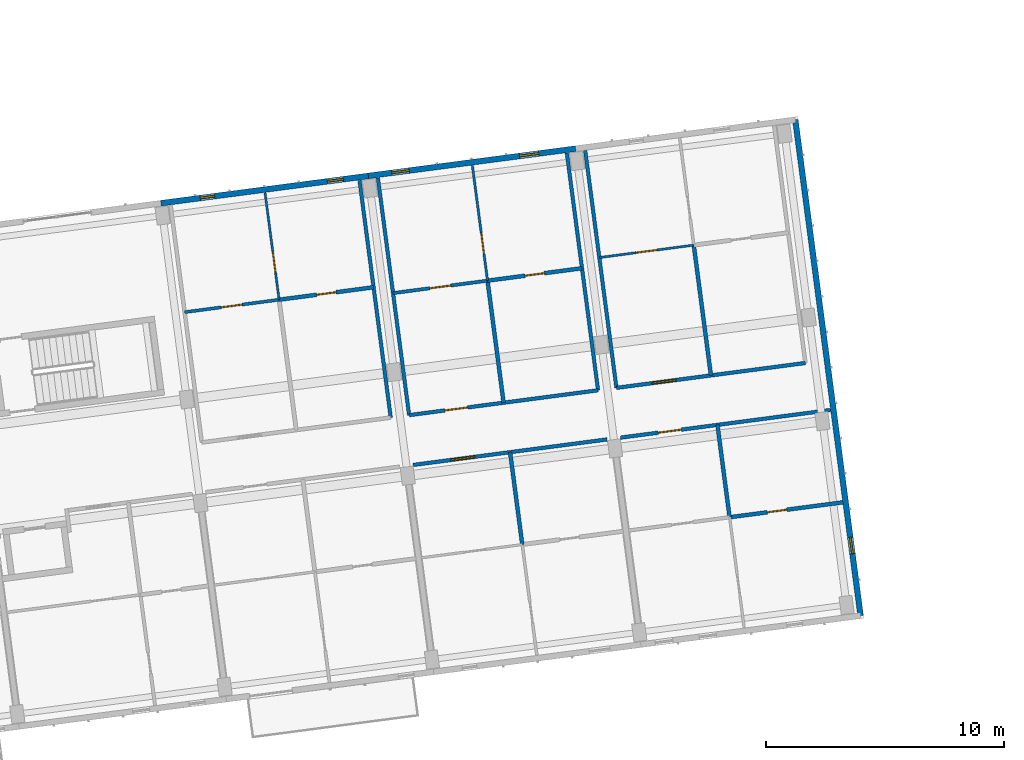
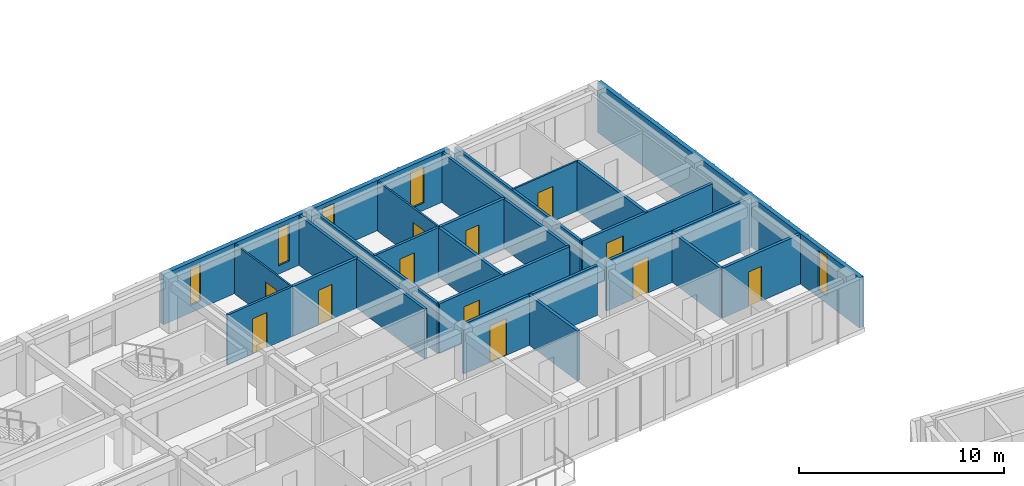
# One storey, part 24 of 64: 23 walls, 12 doors, 5 windows, 17 openings.
"""IFC4 building model written with IfcOpenShell, lengths in metres."""

from ifc_helpers import new_model, si_unit, direction, frame, frame_2d, origin, place, context, subcontext, project, spatial, rectangle, extrude, material, layer, layer_set, type_object, element, fill, save


model = new_model("IFC4")

# Units and contexts
model_context = context("Model", 3, precision=1e-05, world=origin(), true_north=direction((0.0, 1.0)))
body_context = subcontext(model_context, "Body", "Model", "MODEL_VIEW")
ifc_project = project(units=[si_unit("LENGTHUNIT", "METRE"), si_unit("AREAUNIT", "SQUARE_METRE"), si_unit("VOLUMEUNIT", "CUBIC_METRE"), si_unit("PLANEANGLEUNIT", "RADIAN"), si_unit("MASSUNIT", "GRAM", prefix="KILO")], contexts=[model_context])

# Site, building, storey
site_placement = place(None, origin())
site = spatial("IfcSite", under=ifc_project, at=site_placement, CompositionType="ELEMENT")
building_placement = place(site_placement, origin())
building = spatial("IfcBuilding", under=site, at=building_placement, Name="Kestramere Prow Commons", CompositionType="ELEMENT")
storey_placement = place(building_placement, frame((0.0, 0.0, 24.64990234375)))
storey = spatial("IfcBuildingStorey", under=building, at=storey_placement, Name="L07", CompositionType="ELEMENT", Elevation=24.64990234375)

# Wall, openings, windows
ifc_material_1 = material(Name="Fluoropolymer Standing-Seam Zinc-Aluminium Cladding", Category="aluminium")
ifc_layer_1 = layer(ifc_material_1, 0.239990234375)
ifc_layer_set_1 = layer_set([ifc_layer_1], Name="Fluoropolymer Standing-Seam Zinc-Aluminium Cladding")
wall_type_1 = type_object("IfcWallType", Name="EW-SEAM-240", PredefinedType="SOLIDWALL", material=ifc_layer_set_1)
wall_1_placement = place(storey_placement, frame((34.695068359375, 95.79541015625, 0.0), z_axis=(0.0, 0.0, 1.0), x_axis=(0.991447967712, 0.130502595073, 0.0)))
wall_1 = element("IfcWall", 1, at=wall_1_placement, inside=storey, type_object=wall_type_1, Name="Block A L07 North Standing-Seam Wall 4", PredefinedType="SOLIDWALL", context=body_context, shape_type="SweptSolid", body=[
    extrude(rectangle(XDim=8.800048828125, YDim=0.239990234375, at=frame_2d((4.39990234375, 0.0))), origin(), (0.0, 0.0, 1.0), 3.0),
])
opening_1_placement = place(wall_1_placement, frame((1.672119140625, 0.0, 0.43994140625)))
opening_1 = element("IfcOpeningElement", 2, at=opening_1_placement, cuts=wall_1, Name="Opening WN-02", PredefinedType="OPENING", context=body_context, shape_type="SweptSolid", body=[
    extrude(rectangle(XDim=0.60009765625, YDim=2.219970703125, at=frame_2d((0.300048828125, 1.10986328125))), frame((0.0, 0.135009765625, 0.0), z_axis=(0.0, -1.0, 0.0), x_axis=(1.0, 0.0, 0.0)), (0.0, 0.0, 1.0), 0.27001953125),
])
opening_2_placement = place(wall_1_placement, frame((7.06591796875, 0.0, 0.5)))
opening_2 = element("IfcOpeningElement", 3, at=opening_2_placement, cuts=wall_1, Name="Opening WN-06", PredefinedType="OPENING", context=body_context, shape_type="SweptSolid", body=[
    extrude(rectangle(XDim=0.679931640625, YDim=2.239990234375, at=frame_2d((0.33984375, 1.1201171875))), frame((0.0, 0.135009765625, 0.0), z_axis=(0.0, -1.0, 0.0), x_axis=(1.0, 0.0, 0.0)), (0.0, 0.0, 1.0), 0.27001953125),
])
ifc_material_2 = material(Name="Low-E Laminated Double Glazing", Category="glass")
window_type_1 = type_object("IfcWindowType", Name="WN-NAR-600A", PartitioningType="SINGLE_PANEL", PredefinedType="WINDOW", material=ifc_material_2)
window_1_placement = place(opening_1_placement, origin())
window_1 = element("IfcWindow", 4, at=window_1_placement, inside=storey, type_object=window_type_1, Name="WN-A-L07-N-3-0", OverallHeight=2.219970703125, OverallWidth=0.60009765625, PartitioningType="SINGLE_PANEL", PredefinedType="WINDOW", context=body_context, shape_type="SweptSolid", body=[
    extrude(rectangle(XDim=0.60009765625, YDim=2.219970703125, at=frame_2d((0.300048828125, 1.10986328125))), frame((0.0, 0.030029296875, 0.0), z_axis=(0.0, -1.0, 0.0), x_axis=(1.0, 0.0, 0.0)), (0.0, 0.0, 1.0), 0.06005859375),
])
fill(opening_1, window_1)
window_type_2 = type_object("IfcWindowType", Name="WN-NAR-680A", PartitioningType="SINGLE_PANEL", PredefinedType="WINDOW", material=ifc_material_2)
window_2_placement = place(opening_2_placement, origin())
window_2 = element("IfcWindow", 5, at=window_2_placement, inside=storey, type_object=window_type_2, Name="WN-A-L07-N-3-1", OverallHeight=2.239990234375, OverallWidth=0.679931640625, PartitioningType="SINGLE_PANEL", PredefinedType="WINDOW", context=body_context, shape_type="SweptSolid", body=[
    extrude(rectangle(XDim=0.679931640625, YDim=2.239990234375, at=frame_2d((0.33984375, 1.1201171875))), frame((0.0, 0.030029296875, 0.0), z_axis=(0.0, -1.0, 0.0), x_axis=(1.0, 0.0, 0.0)), (0.0, 0.0, 1.0), 0.06005859375),
])
fill(opening_2, window_2)

wall_2_placement = place(storey_placement, frame((43.419921875, 96.94384765625, 0.0), z_axis=(0.0, 0.0, 1.0), x_axis=(0.991443905089, 0.130533455715, 0.0)))
wall_2 = element("IfcWall", 6, at=wall_2_placement, inside=storey, type_object=wall_type_1, Name="Block A L07 North Standing-Seam Wall 5", PredefinedType="SOLIDWALL", context=body_context, shape_type="SweptSolid", body=[
    extrude(rectangle(XDim=8.7998046875, YDim=0.239990234375, at=frame_2d((4.39990234375, 0.0))), origin(), (0.0, 0.0, 1.0), 3.0),
])
opening_3_placement = place(wall_2_placement, frame((1.000732421875, 0.0, 0.5)))
opening_3 = element("IfcOpeningElement", 7, at=opening_3_placement, cuts=wall_2, Name="Opening WN-09", PredefinedType="OPENING", context=body_context, shape_type="SweptSolid", body=[
    extrude(rectangle(XDim=0.739990234375, YDim=2.260009765625, at=frame_2d((0.3701171875, 1.1298828125))), frame((0.0, 0.135009765625, 0.0), z_axis=(0.0, -1.0, 0.0), x_axis=(1.0, 0.0, 0.0)), (0.0, 0.0, 1.0), 0.27001953125),
])
opening_4_placement = place(wall_2_placement, frame((6.41796875, 0.0, 0.43994140625)))
opening_4 = element("IfcOpeningElement", 8, at=opening_4_placement, cuts=wall_2, Name="Opening WN-13", PredefinedType="OPENING", context=body_context, shape_type="SweptSolid", body=[
    extrude(rectangle(XDim=0.820068359375, YDim=2.179931640625, at=frame_2d((0.41015625, 1.08984375))), frame((0.0, 0.135009765625, 0.0), z_axis=(0.0, -1.0, 0.0), x_axis=(1.0, 0.0, 0.0)), (0.0, 0.0, 1.0), 0.27001953125),
])
window_type_3 = type_object("IfcWindowType", Name="WN-NAR-740A", PartitioningType="SINGLE_PANEL", PredefinedType="WINDOW", material=ifc_material_2)
window_3_placement = place(opening_3_placement, origin())
window_3 = element("IfcWindow", 9, at=window_3_placement, inside=storey, type_object=window_type_3, Name="WN-A-L07-N-4-0", OverallHeight=2.260009765625, OverallWidth=0.739990234375, PartitioningType="SINGLE_PANEL", PredefinedType="WINDOW", context=body_context, shape_type="SweptSolid", body=[
    extrude(rectangle(XDim=0.739990234375, YDim=2.260009765625, at=frame_2d((0.3701171875, 1.1298828125))), frame((0.0, 0.030029296875, 0.0), z_axis=(0.0, -1.0, 0.0), x_axis=(1.0, 0.0, 0.0)), (0.0, 0.0, 1.0), 0.06005859375),
])
fill(opening_3, window_3)
window_type_4 = type_object("IfcWindowType", Name="WN-NAR-820A", PartitioningType="DOUBLE_PANEL_VERTICAL", PredefinedType="WINDOW", material=ifc_material_2)
window_4_placement = place(opening_4_placement, origin())
window_4 = element("IfcWindow", 10, at=window_4_placement, inside=storey, type_object=window_type_4, Name="WN-A-L07-N-4-1", OverallHeight=2.179931640625, OverallWidth=0.820068359375, PartitioningType="SINGLE_PANEL", PredefinedType="WINDOW", context=body_context, shape_type="SweptSolid", body=[
    extrude(rectangle(XDim=0.820068359375, YDim=2.179931640625, at=frame_2d((0.41015625, 1.08984375))), frame((0.0, 0.030029296875, 0.0), z_axis=(0.0, -1.0, 0.0), x_axis=(1.0, 0.0, 0.0)), (0.0, 0.0, 1.0), 0.06005859375),
])
fill(opening_4, window_4)

# Wall, opening, window
wall_3_placement = place(storey_placement, frame((61.3896484375, 99.309814453125, 0.0), z_axis=(0.0, 0.0, 1.0), x_axis=(0.13052411616, -0.99144513469, 0.0)))
wall_3 = element("IfcWall", 11, at=wall_3_placement, inside=storey, type_object=wall_type_1, Name="Block A L07 EAV Facet Wall", PredefinedType="SOLIDWALL", context=body_context, shape_type="SweptSolid", body=[
    extrude(rectangle(XDim=21.05029296875, YDim=0.239990234375, at=frame_2d((10.525146484375, 0.0))), origin(), (0.0, 0.0, 1.0), 3.0),
])
opening_5_placement = place(wall_3_placement, frame((17.719970703125, 0.0, 0.449951171875)))
opening_5 = element("IfcOpeningElement", 12, at=opening_5_placement, cuts=wall_3, Name="Opening WN-07", PredefinedType="OPENING", context=body_context, shape_type="SweptSolid", body=[
    extrude(rectangle(XDim=0.699951171875, YDim=2.360107421875, at=frame_2d((0.35009765625, 1.18017578125))), frame((0.0, 0.135009765625, 0.0), z_axis=(0.0, -1.0, 0.0), x_axis=(1.0, 0.0, 0.0)), (0.0, 0.0, 1.0), 0.27001953125),
])
window_type_5 = type_object("IfcWindowType", Name="WN-NAR-700A", PartitioningType="SINGLE_PANEL", PredefinedType="WINDOW", material=ifc_material_2)
window_5_placement = place(opening_5_placement, origin())
window_5 = element("IfcWindow", 13, at=window_5_placement, inside=storey, type_object=window_type_5, Name="WN-A-L07-EAV-1", OverallHeight=2.360107421875, OverallWidth=0.699951171875, PartitioningType="SINGLE_PANEL", PredefinedType="WINDOW", context=body_context, shape_type="SweptSolid", body=[
    extrude(rectangle(XDim=0.699951171875, YDim=2.360107421875, at=frame_2d((0.35009765625, 1.18017578125))), frame((0.0, 0.030029296875, 0.0), z_axis=(0.0, -1.0, 0.0), x_axis=(1.0, 0.0, 0.0)), (0.0, 0.0, 1.0), 0.06005859375),
])
fill(opening_5, window_5)

# Wall, opening, door
ifc_material_3 = material(Name="Fire-Rated Calcium Silicate Wall")
ifc_layer_2 = layer(ifc_material_3, 0.155029296875)
ifc_layer_set_2 = layer_set([ifc_layer_2], Name="Fire-Rated Calcium Silicate Wall")
wall_type_2 = type_object("IfcWallType", Name="W-FIRE-150", PredefinedType="PARTITIONING", material=ifc_layer_set_2)
wall_4_placement = place(storey_placement, frame((45.30859375, 84.781494140625, 0.0), z_axis=(0.0, 0.0, 1.0), x_axis=(0.991444700604, 0.130527413383, 0.0)))
wall_4 = element("IfcWall", 14, at=wall_4_placement, inside=storey, type_object=wall_type_2, Name="Interior Partition PW-A-L07-CS-4", PredefinedType="PARTITIONING", context=body_context, shape_type="SweptSolid", body=[
    extrude(rectangle(XDim=8.229736328125, YDim=0.155029296875, at=frame_2d((4.11474609375, 0.0))), origin(), (0.0, 0.0, 1.0), 2.97021484375),
])
opening_6_placement = place(wall_4_placement, frame((1.60498046875, 0.0, 0.0)))
opening_6 = element("IfcOpeningElement", 15, at=opening_6_placement, cuts=wall_4, Name="Opening ID-05", PredefinedType="OPENING", context=body_context, shape_type="SweptSolid", body=[
    extrude(rectangle(XDim=1.02001953125, YDim=2.199951171875, at=frame_2d((0.510009765625, 1.10009765625))), frame((0.0, 0.092529296875, 0.0), z_axis=(0.0, -1.0, 0.0), x_axis=(1.0, 0.0, 0.0)), (0.0, 0.0, 1.0), 0.18505859375),
])
ifc_material_4 = material(Name="Hardwood Fire-Rated Flat Entrance Door", Category="wood")
door_type_1 = type_object("IfcDoorType", Name="FD-ENT-02", OperationType="NOTDEFINED", PredefinedType="DOOR", material=ifc_material_4)
door_1_placement = place(opening_6_placement, origin())
door_1 = element("IfcDoor", 16, at=door_1_placement, inside=storey, type_object=door_type_1, Name="Interior Door DR-A-L07-ENT-S4", OperationType="SINGLE_SWING_RIGHT", OverallHeight=2.199951171875, OverallWidth=1.02001953125, PredefinedType="DOOR", context=body_context, shape_type="SweptSolid", body=[
    extrude(rectangle(XDim=1.02001953125, YDim=2.199951171875, at=frame_2d((0.510009765625, 1.10009765625))), frame((0.0, 0.02490234375, 0.0), z_axis=(0.0, -1.0, 0.0), x_axis=(1.0, 0.0, 0.0)), (0.0, 0.0, 1.0), 0.050048828125),
])
fill(opening_6, door_1)

wall_5_placement = place(storey_placement, frame((54.033203125, 85.929931640625, 0.0), z_axis=(0.0, 0.0, 1.0), x_axis=(0.991443380249, 0.130537441989, 0.0)))
wall_5 = element("IfcWall", 17, at=wall_5_placement, inside=storey, type_object=wall_type_2, Name="Interior Partition PW-A-L07-CS-5", PredefinedType="PARTITIONING", context=body_context, shape_type="SweptSolid", body=[
    extrude(rectangle(XDim=8.909912109375, YDim=0.155029296875, at=frame_2d((4.455078125, 0.0))), origin(), (0.0, 0.0, 1.0), 2.97021484375),
])
opening_7_placement = place(wall_5_placement, frame((1.60498046875, 0.0, 0.0)))
opening_7 = element("IfcOpeningElement", 18, at=opening_7_placement, cuts=wall_5, Name="Opening ID-04", PredefinedType="OPENING", context=body_context, shape_type="SweptSolid", body=[
    extrude(rectangle(XDim=0.97998046875, YDim=2.14990234375, at=frame_2d((0.489990234375, 1.074951171875))), frame((0.0, 0.092529296875, 0.0), z_axis=(0.0, -1.0, 0.0), x_axis=(1.0, 0.0, 0.0)), (0.0, 0.0, 1.0), 0.18505859375),
])
door_type_2 = type_object("IfcDoorType", Name="FD-ENT-01", OperationType="NOTDEFINED", PredefinedType="DOOR", material=ifc_material_4)
door_2_placement = place(opening_7_placement, origin())
door_2 = element("IfcDoor", 19, at=door_2_placement, inside=storey, type_object=door_type_2, Name="Interior Door DR-A-L07-ENT-S5", OperationType="SINGLE_SWING_LEFT", OverallHeight=2.14990234375, OverallWidth=0.97998046875, PredefinedType="DOOR", context=body_context, shape_type="SweptSolid", body=[
    extrude(rectangle(XDim=0.97998046875, YDim=2.14990234375, at=frame_2d((0.489990234375, 1.074951171875))), frame((0.0, 0.02490234375, 0.0), z_axis=(0.0, -1.0, 0.0), x_axis=(1.0, 0.0, 0.0)), (0.0, 0.0, 1.0), 0.050048828125),
])
fill(opening_7, door_2)

wall_6_placement = place(storey_placement, frame((45.138427734375, 86.877197265625, 0.0), z_axis=(0.0, 0.0, 1.0), x_axis=(0.991444034844, 0.130532470184, 0.0)))
wall_6 = element("IfcWall", 20, at=wall_6_placement, inside=storey, type_object=wall_type_2, Name="Interior Partition PW-A-L07-CN-4", PredefinedType="PARTITIONING", context=body_context, shape_type="SweptSolid", body=[
    extrude(rectangle(XDim=8.02001953125, YDim=0.155029296875, at=frame_2d((4.010009765625, 0.0))), origin(), (0.0, 0.0, 1.0), 2.97021484375),
])
opening_8_placement = place(wall_6_placement, frame((1.5048828125, 0.0, 0.0)))
opening_8 = element("IfcOpeningElement", 21, at=opening_8_placement, cuts=wall_6, Name="Opening ID-04", PredefinedType="OPENING", context=body_context, shape_type="SweptSolid", body=[
    extrude(rectangle(XDim=0.97998046875, YDim=2.14990234375, at=frame_2d((0.489990234375, 1.074951171875))), frame((0.0, 0.092529296875, 0.0), z_axis=(0.0, -1.0, 0.0), x_axis=(1.0, 0.0, 0.0)), (0.0, 0.0, 1.0), 0.18505859375),
])
door_3_placement = place(opening_8_placement, origin())
door_3 = element("IfcDoor", 22, at=door_3_placement, inside=storey, type_object=door_type_2, Name="Interior Door DR-A-L07-ENT-N4", OperationType="SINGLE_SWING_LEFT", OverallHeight=2.14990234375, OverallWidth=0.97998046875, PredefinedType="DOOR", context=body_context, shape_type="SweptSolid", body=[
    extrude(rectangle(XDim=0.97998046875, YDim=2.14990234375, at=frame_2d((0.489990234375, 1.074951171875))), frame((0.0, 0.02490234375, 0.0), z_axis=(0.0, -1.0, 0.0), x_axis=(1.0, 0.0, 0.0)), (0.0, 0.0, 1.0), 0.050048828125),
])
fill(opening_8, door_3)

wall_7_placement = place(storey_placement, frame((53.86328125, 88.02587890625, 0.0), z_axis=(0.0, 0.0, 1.0), x_axis=(0.991447973994, 0.130502547346, 0.0)))
wall_7 = element("IfcWall", 23, at=wall_7_placement, inside=storey, type_object=wall_type_2, Name="Interior Partition PW-A-L07-CN-5", PredefinedType="PARTITIONING", context=body_context, shape_type="SweptSolid", body=[
    extrude(rectangle(XDim=8.02001953125, YDim=0.155029296875, at=frame_2d((4.010009765625, 0.0))), origin(), (0.0, 0.0, 1.0), 2.97021484375),
])
opening_9_placement = place(wall_7_placement, frame((1.5048828125, 0.0, 0.0)))
opening_9 = element("IfcOpeningElement", 24, at=opening_9_placement, cuts=wall_7, Name="Opening ID-05", PredefinedType="OPENING", context=body_context, shape_type="SweptSolid", body=[
    extrude(rectangle(XDim=1.02001953125, YDim=2.199951171875, at=frame_2d((0.510009765625, 1.10009765625))), frame((0.0, 0.092529296875, 0.0), z_axis=(0.0, -1.0, 0.0), x_axis=(1.0, 0.0, 0.0)), (0.0, 0.0, 1.0), 0.18505859375),
])
door_4_placement = place(opening_9_placement, origin())
door_4 = element("IfcDoor", 25, at=door_4_placement, inside=storey, type_object=door_type_1, Name="Interior Door DR-A-L07-ENT-N5", OperationType="SINGLE_SWING_RIGHT", OverallHeight=2.199951171875, OverallWidth=1.02001953125, PredefinedType="DOOR", context=body_context, shape_type="SweptSolid", body=[
    extrude(rectangle(XDim=1.02001953125, YDim=2.199951171875, at=frame_2d((0.510009765625, 1.10009765625))), frame((0.0, 0.02490234375, 0.0), z_axis=(0.0, -1.0, 0.0), x_axis=(1.0, 0.0, 0.0)), (0.0, 0.0, 1.0), 0.050048828125),
])
fill(opening_9, door_4)

ifc_material_5 = material(Name="Gypsum Acoustic Drywall")
ifc_layer_3 = layer(ifc_material_5, 0.10009765625)
ifc_layer_set_3 = layer_set([ifc_layer_3], Name="Gypsum Acoustic Drywall")
wall_type_3 = type_object("IfcWallType", Name="W-PART-100", PredefinedType="PARTITIONING", material=ifc_layer_set_3)
wall_8_placement = place(storey_placement, frame((48.43798828125, 92.5361328125, 0.0), z_axis=(0.0, 0.0, 1.0), x_axis=(-0.130508755558, 0.991447156798, 0.0)))
wall_8 = element("IfcWall", 26, at=wall_8_placement, inside=storey, type_object=wall_type_3, Name="Interior Partition PW-A-L07-LB-N4", PredefinedType="PARTITIONING", context=body_context, shape_type="SweptSolid", body=[
    extrude(rectangle(XDim=4.889892578125, YDim=0.10009765625, at=frame_2d((2.44482421875, 0.0))), origin(), (0.0, 0.0, 1.0), 2.97021484375),
])
opening_10_placement = place(wall_8_placement, frame((1.14990234375, 0.0, 0.0)))
opening_10 = element("IfcOpeningElement", 27, at=opening_10_placement, cuts=wall_8, Name="Opening ID-10", PredefinedType="OPENING", context=body_context, shape_type="SweptSolid", body=[
    extrude(rectangle(XDim=0.8798828125, YDim=2.10009765625, at=frame_2d((0.43994140625, 1.050048828125))), frame((0.0, 0.06494140625, 0.0), z_axis=(0.0, -1.0, 0.0), x_axis=(1.0, 0.0, 0.0)), (0.0, 0.0, 1.0), 0.130126953125),
])
ifc_material_6 = material(Name="Engineered Timber Bedroom Door", Category="wood")
door_type_3 = type_object("IfcDoorType", Name="D-RM-03", OperationType="NOTDEFINED", PredefinedType="DOOR", material=ifc_material_6)
door_5_placement = place(opening_10_placement, origin())
door_5 = element("IfcDoor", 28, at=door_5_placement, inside=storey, type_object=door_type_3, Name="Interior Door DR-A-L07-BED-N4", OperationType="SINGLE_SWING_LEFT", OverallHeight=2.10009765625, OverallWidth=0.8798828125, PredefinedType="DOOR", context=body_context, shape_type="SweptSolid", body=[
    extrude(rectangle(XDim=0.8798828125, YDim=2.10009765625, at=frame_2d((0.43994140625, 1.050048828125))), frame((0.0, 0.02490234375, 0.0), z_axis=(0.0, -1.0, 0.0), x_axis=(1.0, 0.0, 0.0)), (0.0, 0.0, 1.0), 0.050048828125),
])
fill(opening_10, door_5)

ifc_material_7 = material(Name="Lightweight Blockwork and Plaster", Category="masonry")
ifc_layer_4 = layer(ifc_material_7, 0.1298828125)
ifc_layer_set_4 = layer_set([ifc_layer_4], Name="Lightweight Blockwork and Plaster")
wall_type_4 = type_object("IfcWallType", Name="W-PART-130", PredefinedType="PARTITIONING", material=ifc_layer_set_4)
wall_9_placement = place(storey_placement, frame((35.69189453125, 91.211181640625, 0.0), z_axis=(0.0, 0.0, 1.0), x_axis=(0.991444553502, 0.130528530716, 0.0)))
wall_9 = element("IfcWall", 29, at=wall_9_placement, inside=storey, type_object=wall_type_4, Name="Interior Partition PW-A-L07-MIDN1-3", PredefinedType="PARTITIONING", context=body_context, shape_type="SweptSolid", body=[
    extrude(rectangle(XDim=4.01025390625, YDim=0.1298828125, at=frame_2d((2.005126953125, 0.0))), origin(), (0.0, 0.0, 1.0), 2.97021484375),
])
opening_11_placement = place(wall_9_placement, frame((1.554931640625, 0.0, 0.0)))
opening_11 = element("IfcOpeningElement", 30, at=opening_11_placement, cuts=wall_9, Name="Opening ID-10", PredefinedType="OPENING", context=body_context, shape_type="SweptSolid", body=[
    extrude(rectangle(XDim=0.8798828125, YDim=2.10009765625, at=frame_2d((0.43994140625, 1.050048828125))), frame((0.0, 0.079833984375, 0.0), z_axis=(0.0, -1.0, 0.0), x_axis=(1.0, 0.0, 0.0)), (0.0, 0.0, 1.0), 0.159912109375),
])
door_6_placement = place(opening_11_placement, origin())
door_6 = element("IfcDoor", 31, at=door_6_placement, inside=storey, type_object=door_type_3, Name="Interior Door DR-A-L07-KL-N3", OperationType="SINGLE_SWING_LEFT", OverallHeight=2.10009765625, OverallWidth=0.8798828125, PredefinedType="DOOR", context=body_context, shape_type="SweptSolid", body=[
    extrude(rectangle(XDim=0.8798828125, YDim=2.10009765625, at=frame_2d((0.43994140625, 1.050048828125))), frame((0.0, 0.02490234375, 0.0), z_axis=(0.0, -1.0, 0.0), x_axis=(1.0, 0.0, 0.0)), (0.0, 0.0, 1.0), 0.050048828125),
])
fill(opening_11, door_6)

ifc_material_8 = material(Name="Masonry Compartment Wall", Category="masonry")
ifc_layer_5 = layer(ifc_material_8, 0.139892578125)
ifc_layer_set_5 = layer_set([ifc_layer_5], Name="Masonry Compartment Wall")
wall_type_5 = type_object("IfcWallType", Name="W-PART-140", PredefinedType="PARTITIONING", material=ifc_layer_set_5)
wall_10_placement = place(storey_placement, frame((44.46240234375, 92.012939453125, 0.0), z_axis=(0.0, 0.0, 1.0), x_axis=(0.991451394038, 0.130476562111, 0.0)))
wall_10 = element("IfcWall", 32, at=wall_10_placement, inside=storey, type_object=wall_type_5, Name="Interior Partition PW-A-L07-MIDN1-4", PredefinedType="PARTITIONING", context=body_context, shape_type="SweptSolid", body=[
    extrude(rectangle(XDim=4.009765625, YDim=0.139892578125, at=frame_2d((2.0048828125, 0.0))), origin(), (0.0, 0.0, 1.0), 2.97021484375),
])
opening_12_placement = place(wall_10_placement, frame((1.554931640625, 0.0, 0.0)))
opening_12 = element("IfcOpeningElement", 33, at=opening_12_placement, cuts=wall_10, Name="Opening ID-08", PredefinedType="OPENING", context=body_context, shape_type="SweptSolid", body=[
    extrude(rectangle(XDim=0.89990234375, YDim=2.10009765625, at=frame_2d((0.449951171875, 1.050048828125))), frame((0.0, 0.0849609375, 0.0), z_axis=(0.0, -1.0, 0.0), x_axis=(1.0, 0.0, 0.0)), (0.0, 0.0, 1.0), 0.169921875),
])
ifc_material_9 = material(Name="Engineered Timber Flush Door", Category="wood")
door_type_4 = type_object("IfcDoorType", Name="D-RM-01", OperationType="NOTDEFINED", PredefinedType="DOOR", material=ifc_material_9)
door_7_placement = place(opening_12_placement, origin())
door_7 = element("IfcDoor", 34, at=door_7_placement, inside=storey, type_object=door_type_4, Name="Interior Door DR-A-L07-KL-N4", OperationType="SINGLE_SWING_LEFT", OverallHeight=2.10009765625, OverallWidth=0.89990234375, PredefinedType="DOOR", context=body_context, shape_type="SweptSolid", body=[
    extrude(rectangle(XDim=0.89990234375, YDim=2.10009765625, at=frame_2d((0.449951171875, 1.050048828125))), frame((0.0, 0.02490234375, 0.0), z_axis=(0.0, -1.0, 0.0), x_axis=(1.0, 0.0, 0.0)), (0.0, 0.0, 1.0), 0.050048828125),
])
fill(opening_12, door_7)

# Walls
ifc_layer_6 = layer(ifc_material_8, 0.14990234375)
ifc_layer_set_6 = layer_set([ifc_layer_6], Name="Masonry Compartment Wall")
wall_type_6 = type_object("IfcWallType", Name="W-PART-150", PredefinedType="PARTITIONING", material=ifc_layer_set_6)
for number, where, z_axis, x_axis, name in (
    (35, (44.365234375, 86.775390625, 0.0), (0.0, 0.0, 1.0), (-0.130531024319, 0.991444225204, 0.0), "Interior Partition PW-A-L07-NWR-3"),
    (36, (45.138427734375, 86.877197265625, 0.0), (0.0, 0.0, 1.0), (-0.130531024319, 0.991444225204, 0.0), "Interior Partition PW-A-L07-NWL-4"),
):
    element("IfcWall", number, at=place(storey_placement, frame(where, z_axis=z_axis, x_axis=x_axis)), inside=storey, type_object=wall_type_6, Name=name, PredefinedType="PARTITIONING", context=body_context, shape_type="SweptSolid", body=[
        extrude(rectangle(XDim=10.070068359375, YDim=0.14990234375, at=frame_2d((5.03515625, 0.0))), origin(), (0.0, 0.0, 1.0), 2.97021484375),
    ])
for number, where, z_axis, x_axis, name in (
    (37, (53.08984375, 87.924072265625, 0.0), (0.0, 0.0, 1.0), (-0.130534161944, 0.991443812107, 0.0), "Interior Partition PW-A-L07-NWR-4"),
    (38, (53.86328125, 88.02587890625, 0.0), (0.0, 0.0, 1.0), (-0.130534161944, 0.991443812107, 0.0), "Interior Partition PW-A-L07-NWL-5"),
):
    element("IfcWall", number, at=place(storey_placement, frame(where, z_axis=z_axis, x_axis=x_axis)), inside=storey, type_object=wall_type_6, Name=name, PredefinedType="PARTITIONING", context=body_context, shape_type="SweptSolid", body=[
        extrude(rectangle(XDim=10.06982421875, YDim=0.14990234375, at=frame_2d((5.034912109375, 0.0))), origin(), (0.0, 0.0, 1.0), 2.97021484375),
    ])

# Wall, opening, door
ifc_layer_7 = layer(ifc_material_5, 0.094970703125)
ifc_layer_set_7 = layer_set([ifc_layer_7], Name="Gypsum Acoustic Drywall")
wall_type_7 = type_object("IfcWallType", Name="W-PART-95", PredefinedType="PARTITIONING", material=ifc_layer_set_7)
wall_11_placement = place(storey_placement, frame((39.667724609375, 91.734619140625, 0.0), z_axis=(0.0, 0.0, 1.0), x_axis=(-0.130564403497, 0.991439830015, 0.0)))
wall_11 = element("IfcWall", 39, at=wall_11_placement, inside=storey, type_object=wall_type_7, Name="Interior Partition PW-A-L07-LB-N3", PredefinedType="PARTITIONING", context=body_context, shape_type="SweptSolid", body=[
    extrude(rectangle(XDim=4.5400390625, YDim=0.094970703125, at=frame_2d((2.27001953125, 0.0))), origin(), (0.0, 0.0, 1.0), 2.97021484375),
])
opening_13_placement = place(wall_11_placement, frame((1.14990234375, 0.0, 0.0)))
opening_13 = element("IfcOpeningElement", 40, at=opening_13_placement, cuts=wall_11, Name="Opening ID-08", PredefinedType="OPENING", context=body_context, shape_type="SweptSolid", body=[
    extrude(rectangle(XDim=0.89990234375, YDim=2.10009765625, at=frame_2d((0.449951171875, 1.050048828125))), frame((0.0, 0.0625, 0.0), z_axis=(0.0, -1.0, 0.0), x_axis=(1.0, 0.0, 0.0)), (0.0, 0.0, 1.0), 0.125),
])
door_8_placement = place(opening_13_placement, origin())
door_8 = element("IfcDoor", 41, at=door_8_placement, inside=storey, type_object=door_type_4, Name="Interior Door DR-A-L07-BED-N3", OperationType="SINGLE_SWING_LEFT", OverallHeight=2.10009765625, OverallWidth=0.89990234375, PredefinedType="DOOR", context=body_context, shape_type="SweptSolid", body=[
    extrude(rectangle(XDim=0.89990234375, YDim=2.10009765625, at=frame_2d((0.449951171875, 1.050048828125))), frame((0.0, 0.02490234375, 0.0), z_axis=(0.0, -1.0, 0.0), x_axis=(1.0, 0.0, 0.0)), (0.0, 0.0, 1.0), 0.050048828125),
])
fill(opening_13, door_8)

wall_12_placement = place(storey_placement, frame((53.141357421875, 93.508544921875, 0.0), z_axis=(0.0, 0.0, 1.0), x_axis=(0.991444553502, 0.130528530716, 0.0)))
wall_12 = element("IfcWall", 42, at=wall_12_placement, inside=storey, type_object=wall_type_7, Name="Interior Partition PW-A-L07-MIDN1-5", PredefinedType="PARTITIONING", context=body_context, shape_type="SweptSolid", body=[
    extrude(rectangle(XDim=4.01025390625, YDim=0.094970703125, at=frame_2d((2.005126953125, 0.0))), origin(), (0.0, 0.0, 1.0), 2.97021484375),
])
opening_14_placement = place(wall_12_placement, frame((1.554931640625, 0.0, 0.0)))
opening_14 = element("IfcOpeningElement", 43, at=opening_14_placement, cuts=wall_12, Name="Opening ID-08", PredefinedType="OPENING", context=body_context, shape_type="SweptSolid", body=[
    extrude(rectangle(XDim=0.89990234375, YDim=2.10009765625, at=frame_2d((0.449951171875, 1.050048828125))), frame((0.0, 0.0625, 0.0), z_axis=(0.0, -1.0, 0.0), x_axis=(1.0, 0.0, 0.0)), (0.0, 0.0, 1.0), 0.125),
])
door_9_placement = place(opening_14_placement, origin())
door_9 = element("IfcDoor", 44, at=door_9_placement, inside=storey, type_object=door_type_4, Name="Interior Door DR-A-L07-KL-N5", OperationType="SINGLE_SWING_LEFT", OverallHeight=2.10009765625, OverallWidth=0.89990234375, PredefinedType="DOOR", context=body_context, shape_type="SweptSolid", body=[
    extrude(rectangle(XDim=0.89990234375, YDim=2.10009765625, at=frame_2d((0.449951171875, 1.050048828125))), frame((0.0, 0.02490234375, 0.0), z_axis=(0.0, -1.0, 0.0), x_axis=(1.0, 0.0, 0.0)), (0.0, 0.0, 1.0), 0.050048828125),
])
fill(opening_14, door_9)

# Wall
ifc_material_10 = material(Name="Waterproof Sanitary Masonry Wall", Category="masonry")
ifc_layer_8 = layer(ifc_material_10, 0.1650390625)
ifc_layer_set_8 = layer_set([ifc_layer_8], Name="Waterproof Sanitary Masonry Wall")
wall_type_8 = type_object("IfcWallType", Name="W-PLUMB-150", PredefinedType="PLUMBINGWALL", material=ifc_layer_set_8)
wall_13_placement = place(storey_placement, frame((49.89990234375, 81.43212890625, 0.0), z_axis=(0.0, 0.0, 1.0), x_axis=(-0.130539898676, 0.991443056788, 0.0)))
element("IfcWall", 45, at=wall_13_placement, inside=storey, type_object=wall_type_8, Name="Interior Partition PW-A-L07-KB-S4", PredefinedType="PLUMBINGWALL", context=body_context, shape_type="SweptSolid", body=[
    extrude(rectangle(XDim=3.919921875, YDim=0.1650390625, at=frame_2d((1.9599609375, 0.0))), origin(), (0.0, 0.0, 1.0), 2.97021484375),
])

# Wall, opening, door
wall_14_placement = place(storey_placement, frame((58.624755859375, 82.58056640625, 0.0), z_axis=(0.0, 0.0, 1.0), x_axis=(0.991441813226, 0.130549343114, 0.0)))
wall_14 = element("IfcWall", 46, at=wall_14_placement, inside=storey, type_object=wall_type_8, Name="Interior Partition PW-A-L07-MIDS2-5", PredefinedType="PLUMBINGWALL", context=body_context, shape_type="SweptSolid", body=[
    extrude(rectangle(XDim=4.794921875, YDim=0.1650390625, at=frame_2d((2.3974609375, 0.0))), origin(), (0.0, 0.0, 1.0), 2.97021484375),
])
opening_15_placement = place(wall_14_placement, frame((1.60009765625, 0.0, 0.0)))
opening_15 = element("IfcOpeningElement", 47, at=opening_15_placement, cuts=wall_14, Name="Opening ID-11", PredefinedType="OPENING", context=body_context, shape_type="SweptSolid", body=[
    extrude(rectangle(XDim=0.820068359375, YDim=2.080078125, at=frame_2d((0.41015625, 1.0400390625))), frame((0.0, 0.097412109375, 0.0), z_axis=(0.0, -1.0, 0.0), x_axis=(1.0, 0.0, 0.0)), (0.0, 0.0, 1.0), 0.195068359375),
])
ifc_material_11 = material(Name="Moisture-Resistant Timber Bathroom Door", Category="wood")
door_type_5 = type_object("IfcDoorType", Name="D-BT-01", OperationType="NOTDEFINED", PredefinedType="DOOR", material=ifc_material_11)
door_10_placement = place(opening_15_placement, origin())
door_10 = element("IfcDoor", 48, at=door_10_placement, inside=storey, type_object=door_type_5, Name="Interior Door DR-A-L07-BTH-S5", OperationType="SINGLE_SWING_LEFT", OverallHeight=2.080078125, OverallWidth=0.820068359375, PredefinedType="DOOR", context=body_context, shape_type="SweptSolid", body=[
    extrude(rectangle(XDim=0.820068359375, YDim=2.080078125, at=frame_2d((0.41015625, 1.0400390625))), frame((0.0, 0.02490234375, 0.0), z_axis=(0.0, -1.0, 0.0), x_axis=(1.0, 0.0, 0.0)), (0.0, 0.0, 1.0), 0.050048828125),
])
fill(opening_15, door_10)

# Wall
wall_15_placement = place(storey_placement, frame((58.624755859375, 82.58056640625, 0.0), z_axis=(0.0, 0.0, 1.0), x_axis=(-0.130539898676, 0.991443056788, 0.0)))
element("IfcWall", 49, at=wall_15_placement, inside=storey, type_object=wall_type_8, Name="Interior Partition PW-A-L07-KB-S5", PredefinedType="PLUMBINGWALL", context=body_context, shape_type="SweptSolid", body=[
    extrude(rectangle(XDim=3.919921875, YDim=0.1650390625, at=frame_2d((1.9599609375, 0.0))), origin(), (0.0, 0.0, 1.0), 2.97021484375),
])

# Wall, opening, door
wall_16_placement = place(storey_placement, frame((39.667724609375, 91.734619140625, 0.0), z_axis=(0.0, 0.0, 1.0), x_axis=(0.991443516139, 0.130536409887, 0.0)))
wall_16 = element("IfcWall", 50, at=wall_16_placement, inside=storey, type_object=wall_type_8, Name="Interior Partition PW-A-L07-MIDN2-3", PredefinedType="PLUMBINGWALL", context=body_context, shape_type="SweptSolid", body=[
    extrude(rectangle(XDim=4.010009765625, YDim=0.1650390625, at=frame_2d((2.0048828125, 0.0))), origin(), (0.0, 0.0, 1.0), 2.97021484375),
])
opening_16_placement = place(wall_16_placement, frame((1.594970703125, 0.0, 0.0)))
opening_16 = element("IfcOpeningElement", 51, at=opening_16_placement, cuts=wall_16, Name="Opening ID-11", PredefinedType="OPENING", context=body_context, shape_type="SweptSolid", body=[
    extrude(rectangle(XDim=0.820068359375, YDim=2.080078125, at=frame_2d((0.41015625, 1.0400390625))), frame((0.0, 0.097412109375, 0.0), z_axis=(0.0, -1.0, 0.0), x_axis=(1.0, 0.0, 0.0)), (0.0, 0.0, 1.0), 0.195068359375),
])
door_11_placement = place(opening_16_placement, origin())
door_11 = element("IfcDoor", 52, at=door_11_placement, inside=storey, type_object=door_type_5, Name="Interior Door DR-A-L07-BTH-N3", OperationType="SINGLE_SWING_RIGHT", OverallHeight=2.080078125, OverallWidth=0.820068359375, PredefinedType="DOOR", context=body_context, shape_type="SweptSolid", body=[
    extrude(rectangle(XDim=0.820068359375, YDim=2.080078125, at=frame_2d((0.41015625, 1.0400390625))), frame((0.0, 0.02490234375, 0.0), z_axis=(0.0, -1.0, 0.0), x_axis=(1.0, 0.0, 0.0)), (0.0, 0.0, 1.0), 0.050048828125),
])
fill(opening_16, door_11)

wall_17_placement = place(storey_placement, frame((48.43798828125, 92.5361328125, 0.0), z_axis=(0.0, 0.0, 1.0), x_axis=(0.991444553502, 0.130528530716, 0.0)))
wall_17 = element("IfcWall", 53, at=wall_17_placement, inside=storey, type_object=wall_type_8, Name="Interior Partition PW-A-L07-MIDN2-4", PredefinedType="PLUMBINGWALL", context=body_context, shape_type="SweptSolid", body=[
    extrude(rectangle(XDim=4.01025390625, YDim=0.1650390625, at=frame_2d((2.005126953125, 0.0))), origin(), (0.0, 0.0, 1.0), 2.97021484375),
])
opening_17_placement = place(wall_17_placement, frame((1.594970703125, 0.0, 0.0)))
opening_17 = element("IfcOpeningElement", 54, at=opening_17_placement, cuts=wall_17, Name="Opening ID-11", PredefinedType="OPENING", context=body_context, shape_type="SweptSolid", body=[
    extrude(rectangle(XDim=0.820068359375, YDim=2.080078125, at=frame_2d((0.41015625, 1.0400390625))), frame((0.0, 0.097412109375, 0.0), z_axis=(0.0, -1.0, 0.0), x_axis=(1.0, 0.0, 0.0)), (0.0, 0.0, 1.0), 0.195068359375),
])
door_12_placement = place(opening_17_placement, origin())
door_12 = element("IfcDoor", 55, at=door_12_placement, inside=storey, type_object=door_type_5, Name="Interior Door DR-A-L07-BTH-N4", OperationType="SINGLE_SWING_RIGHT", OverallHeight=2.080078125, OverallWidth=0.820068359375, PredefinedType="DOOR", context=body_context, shape_type="SweptSolid", body=[
    extrude(rectangle(XDim=0.820068359375, YDim=2.080078125, at=frame_2d((0.41015625, 1.0400390625))), frame((0.0, 0.02490234375, 0.0), z_axis=(0.0, -1.0, 0.0), x_axis=(1.0, 0.0, 0.0)), (0.0, 0.0, 1.0), 0.050048828125),
])
fill(opening_17, door_12)

# Walls
wall_18_placement = place(storey_placement, frame((49.1142578125, 87.400634765625, 0.0), z_axis=(0.0, 0.0, 1.0), x_axis=(-0.130558146496, 0.99144065399, 0.0)))
element("IfcWall", 56, at=wall_18_placement, inside=storey, type_object=wall_type_8, Name="Interior Partition PW-A-L07-KB-N4", PredefinedType="PLUMBINGWALL", context=body_context, shape_type="SweptSolid", body=[
    extrude(rectangle(XDim=5.179931640625, YDim=0.1650390625, at=frame_2d((2.58984375, 0.0))), origin(), (0.0, 0.0, 1.0), 2.97021484375),
])
wall_19_placement = place(storey_placement, frame((57.8388671875, 88.549072265625, 0.0), z_axis=(0.0, 0.0, 1.0), x_axis=(-0.130497907928, 0.991448584661, 0.0)))
element("IfcWall", 57, at=wall_19_placement, inside=storey, type_object=wall_type_8, Name="Interior Partition PW-A-L07-KB-N5", PredefinedType="PLUMBINGWALL", context=body_context, shape_type="SweptSolid", body=[
    extrude(rectangle(XDim=5.5302734375, YDim=0.1650390625, at=frame_2d((2.76513671875, 0.0))), origin(), (0.0, 0.0, 1.0), 2.97021484375),
])

save(model, "model.ifc")
